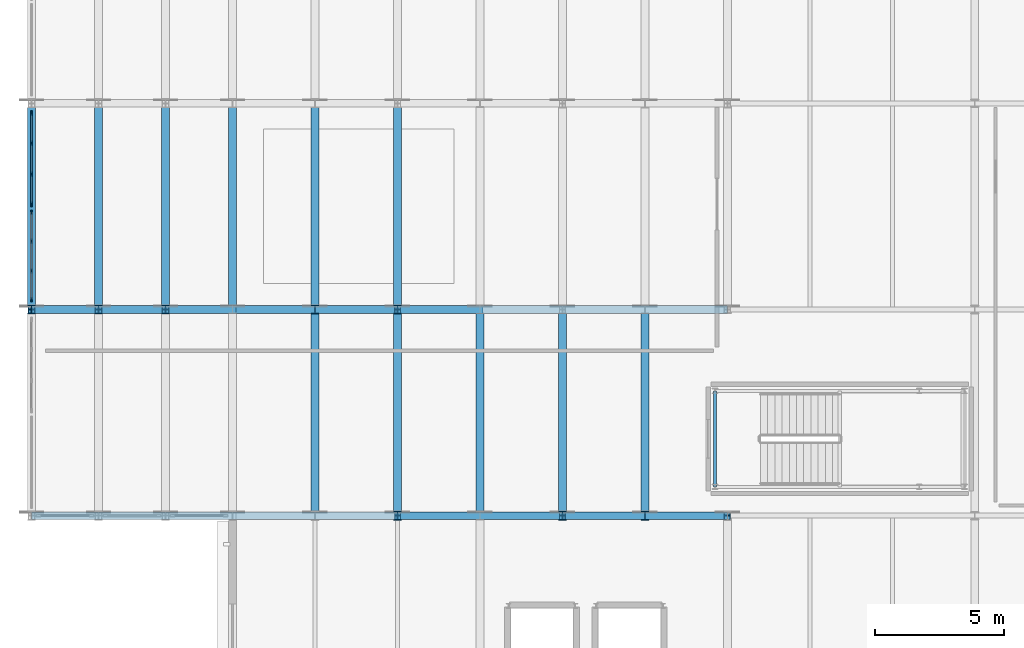
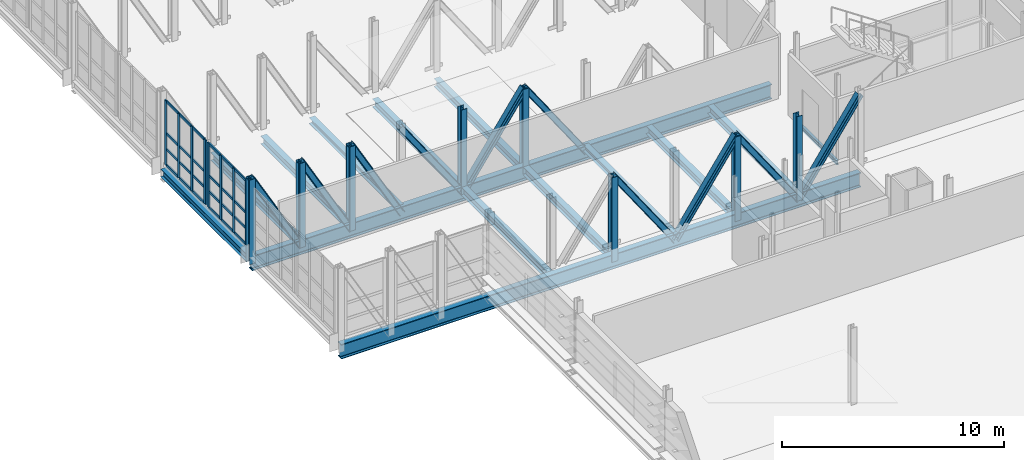
# One storey, part 20 of 73: 50 members, 14 beams, 2 elements without a shape of their own.
"""IFC4 building model written with IfcOpenShell, lengths in metres."""

from ifc_helpers import new_model, si_unit, direction, frame, origin, origin_2d, place, context, subcontext, project, spatial, rectangle, i_section, extrude, material, layer, layer_set, material_profile, profile_set, type_object, element, aggregate, save


model = new_model("IFC4")

# Units and contexts
model_context = context("Model", 3, precision=1e-05, world=origin(), true_north=direction((0.0, 1.0)))
body_context = subcontext(model_context, "Body", "Model", "MODEL_VIEW")
ifc_project = project(units=[si_unit("LENGTHUNIT", "METRE"), si_unit("AREAUNIT", "SQUARE_METRE"), si_unit("VOLUMEUNIT", "CUBIC_METRE"), si_unit("PLANEANGLEUNIT", "RADIAN"), si_unit("MASSUNIT", "GRAM", prefix="KILO")], contexts=[model_context])

# Site, building, storey
site_placement = place(None, origin())
site = spatial("IfcSite", under=ifc_project, at=site_placement, CompositionType="ELEMENT")
building_placement = place(site_placement, origin())
building = spatial("IfcBuilding", under=site, at=building_placement, Name="Alderhovde Museum", CompositionType="ELEMENT")
storey_placement = place(building_placement, frame((0.0, 0.0, 12.89990234375)))
storey = spatial("IfcBuildingStorey", under=building, at=storey_placement, Name="L03", CompositionType="ELEMENT", Elevation=12.89990234375)

# Beams
ifc_material_1 = material(Name="Steel S355J2", Category="steel")
ifc_material_profile_1 = material_profile(ifc_material_1, i_section(OverallWidth=0.300048828125, OverallDepth=0.330078125, WebThickness=0.009521484375, FlangeThickness=0.0166015625, FilletRadius=0.027099609375, at=origin_2d()), Name="HEA 340")
ifc_profile_set_1 = profile_set([ifc_material_profile_1], Name="Steel S355J2")
beam_type_1 = type_object("IfcBeamType", Name="BM-HEA340", PredefinedType="BEAM", material=ifc_profile_set_1)
for number, where, z_axis, x_axis, name in (
    (1, (9.60009765625, 88.0, -0.48486328125), (0.0, 1.0, 0.0), (-1.0, 0.0, 0.0), "L03 Grid Beam X=9.6 (88.0 TO 96.0)"),
    (2, (19.199951171875, 80.0, -0.48486328125), (0.0, 1.0, 0.0), (-1.0, 0.0, 0.0), "L03 Grid Beam X=19.2 (80.0 TO 88.0)"),
):
    element("IfcBeam", number, at=place(storey_placement, frame(where, z_axis=z_axis, x_axis=x_axis)), inside=storey, type_object=beam_type_1, Name=name, PredefinedType="BEAM", context=body_context, shape_type="SweptSolid", body=[
        extrude(i_section(OverallWidth=0.300048828125, OverallDepth=0.330078125, WebThickness=0.009521484375, FlangeThickness=0.0166015625, FilletRadius=0.027099609375, at=origin_2d()), origin(), (0.0, 0.0, 1.0), 8.0),
    ])
ifc_material_2 = material(Name="Steel S355J2", Category="steel")
ifc_material_profile_2 = material_profile(ifc_material_2, i_section(OverallWidth=0.300048828125, OverallDepth=0.43994140625, WebThickness=0.011474609375, FlangeThickness=0.02099609375, FilletRadius=0.027099609375, at=origin_2d()), Name="HEA 450")
ifc_profile_set_2 = profile_set([ifc_material_profile_2], Name="Steel S355J2")
beam_type_2 = type_object("IfcBeamType", Name="BM-HEA450", PredefinedType="BEAM", material=ifc_profile_set_2)
for number, where, z_axis, x_axis, name in (
    (3, (1.800048828125, 88.14990234375, -0.539794921875), (0.0, 1.0, 0.0), (-1.0, 0.0, 0.0), "L03 Transfer Transverse Beam X=1.8"),
    (4, (4.39990234375, 88.14990234375, -0.539794921875), (0.0, 1.0, 0.0), (-1.0, 0.0, 0.0), "L03 Transfer Transverse Beam X=4.4"),
    (5, (7.0, 88.14990234375, -0.539794921875), (0.0, 1.0, 0.0), (-1.0, 0.0, 0.0), "L03 Transfer Transverse Beam X=7.0"),
    (6, (12.800048828125, 80.14990234375, -0.539794921875), (0.0, 1.0, 0.0), (-1.0, 0.0, 0.0), "L03 Transfer Transverse Beam X=12.8"),
    (7, (12.800048828125, 88.14990234375, -0.539794921875), (0.0, 1.0, 0.0), (-1.0, 0.0, 0.0), "L03 Transfer Transverse Beam X=12.8"),
    (8, (16.0, 80.14990234375, -0.539794921875), (0.0, 1.0, 0.0), (-1.0, 0.0, 0.0), "L03 Transfer Transverse Beam X=16.0"),
    (9, (16.0, 88.14990234375, -0.539794921875), (0.0, 1.0, 0.0), (-1.0, 0.0, 0.0), "L03 Transfer Transverse Beam X=16.0"),
    (10, (22.39990234375, 80.14990234375, -0.539794921875), (0.0, 1.0, 0.0), (-1.0, 0.0, 0.0), "L03 Transfer Transverse Beam X=22.4"),
    (11, (25.60009765625, 80.14990234375, -0.539794921875), (0.0, 1.0, 0.0), (-1.0, 0.0, 0.0), "L03 Transfer Transverse Beam X=25.6"),
):
    element("IfcBeam", number, at=place(storey_placement, frame(where, z_axis=z_axis, x_axis=x_axis)), inside=storey, type_object=beam_type_2, Name=name, PredefinedType="BEAM", context=body_context, shape_type="SweptSolid", body=[
        extrude(i_section(OverallWidth=0.300048828125, OverallDepth=0.43994140625, WebThickness=0.011474609375, FlangeThickness=0.02099609375, FilletRadius=0.027099609375, at=origin_2d()), origin(), (0.0, 0.0, 1.0), 7.7001953125),
    ])
ifc_material_3 = material(Name="Steel S355J2", Category="steel")
ifc_material_profile_3 = material_profile(ifc_material_3, i_section(OverallWidth=0.300048828125, OverallDepth=0.800048828125, WebThickness=0.017578125, FlangeThickness=0.032958984375, FilletRadius=0.030029296875, at=origin_2d()), Name="HEB 800")
ifc_profile_set_3 = profile_set([ifc_material_profile_3], Name="Steel S355J2")
beam_type_3 = type_object("IfcBeamType", Name="BM-HEB800", PredefinedType="BEAM", material=ifc_profile_set_3)
for number, where, z_axis, x_axis, name in (
    (12, (1.800048828125, 80.0, -0.719970703125), (1.0, 0.0, 0.0), (0.0, 1.0, 0.0), "Transfer Truss Y=80 BOT Continuous Chord"),
    (13, (1.800048828125, 88.0, -0.719970703125), (1.0, 0.0, 0.0), (0.0, 1.0, 0.0), "Transfer Truss Y=88 BOT Continuous Chord"),
):
    element("IfcBeam", number, at=place(storey_placement, frame(where, z_axis=z_axis, x_axis=x_axis)), inside=storey, type_object=beam_type_3, Name=name, PredefinedType="BEAM", context=body_context, shape_type="SweptSolid", body=[
        extrude(i_section(OverallWidth=0.300048828125, OverallDepth=0.800048828125, WebThickness=0.017578125, FlangeThickness=0.032958984375, FilletRadius=0.030029296875, at=origin_2d()), origin(), (0.0, 0.0, 1.0), 27.0),
    ])
ifc_material_4 = material(Name="Steel S355J2", Category="steel")
ifc_material_profile_4 = material_profile(ifc_material_4, i_section(OverallWidth=0.1201171875, OverallDepth=0.239990234375, WebThickness=0.006103515625, FlangeThickness=0.009765625, FilletRadius=0.014892578125, at=origin_2d()), Name="IPE 240")
ifc_profile_set_4 = profile_set([ifc_material_profile_4], Name="Steel S355J2")
beam_type_4 = type_object("IfcBeamType", Name="BM-IPE240", PredefinedType="BEAM", material=ifc_profile_set_4)
beam_placement = place(storey_placement, frame((28.320068359375, 81.1201171875, -0.3798828125), z_axis=(0.0, 1.0, 0.0), x_axis=(-1.0, 0.0, 0.0)))
element("IfcBeam", 14, at=beam_placement, inside=storey, type_object=beam_type_4, Name="L03 Stair ST2 Floor Trimmer W", PredefinedType="BEAM", context=body_context, shape_type="SweptSolid", body=[
    extrude(i_section(OverallWidth=0.1201171875, OverallDepth=0.239990234375, WebThickness=0.006103515625, FlangeThickness=0.009765625, FilletRadius=0.014892578125, at=origin_2d()), origin(), (0.0, 0.0, 1.0), 3.719970703125),
])

# Curtain wall, members
ifc_material_5 = material(Name="Triple-Glazed Bronze-Anodised Curtain Wall", Category="glass")
ifc_layer_1 = layer(ifc_material_5, 0.179931640625)
ifc_layer_set_1 = layer_set([ifc_layer_1], Name="Triple-Glazed Bronze-Anodised Curtain Wall")
curtain_wall_type_1 = type_object("IfcCurtainWallType", Name="CW-UNIT-345x354", PredefinedType="USERDEFINED", material=ifc_layer_set_1)
curtain_wall_1_placement = place(storey_placement, origin())
curtain_wall_1 = element("IfcCurtainWall", 15, at=curtain_wall_1_placement, inside=storey, type_object=curtain_wall_type_1, Name="L03 Unitised Curtain Wall 93", ObjectType="UNITISED CURTAIN WALL", PredefinedType="USERDEFINED")
ifc_material_6 = material(Name="Bronze-Anodised Aluminium EN AW-6063-T6", Category="aluminium")
ifc_material_profile_5 = material_profile(ifc_material_6, rectangle(XDim=0.06494140625, YDim=0.179931640625, at=origin_2d()), Name="MULLION 65x180")
ifc_profile_set_5 = profile_set([ifc_material_profile_5], Name="Bronze-Anodised Aluminium EN AW-6063-T6")
member_type_1 = type_object("IfcMemberType", Name="CWM-65x180", PredefinedType="MULLION", material=ifc_profile_set_5)
member_1_placement = place(storey_placement, frame((1.800048828125, 88.382568359375, 0.0), z_axis=(0.0, 0.0, 1.0), x_axis=(-1.0, 0.0, 0.0)))
member_1 = element("IfcMember", 16, at=member_1_placement, type_object=member_type_1, Name="CW24 mullion 1", PredefinedType="MULLION", context=body_context, shape_type="SweptSolid", body=[
    extrude(rectangle(XDim=0.06494140625, YDim=0.179931640625, at=origin_2d()), origin(), (0.0, 0.0, 1.0), 3.5400390625),
])
member_2_placement = place(storey_placement, frame((1.800048828125, 89.5, 0.0), z_axis=(0.0, 0.0, 1.0), x_axis=(-1.0, 0.0, 0.0)))
member_2 = element("IfcMember", 17, at=member_2_placement, type_object=member_type_1, Name="CW24 mullion 2", PredefinedType="MULLION", context=body_context, shape_type="SweptSolid", body=[
    extrude(rectangle(XDim=0.06494140625, YDim=0.179931640625, at=origin_2d()), origin(), (0.0, 0.0, 1.0), 3.5400390625),
])
member_3_placement = place(storey_placement, frame((1.800048828125, 90.64990234375, 0.0), z_axis=(0.0, 0.0, 1.0), x_axis=(-1.0, 0.0, 0.0)))
member_3 = element("IfcMember", 18, at=member_3_placement, type_object=member_type_1, Name="CW24 mullion 3", PredefinedType="MULLION", context=body_context, shape_type="SweptSolid", body=[
    extrude(rectangle(XDim=0.06494140625, YDim=0.179931640625, at=origin_2d()), origin(), (0.0, 0.0, 1.0), 3.5400390625),
])
member_4_placement = place(storey_placement, frame((1.800048828125, 91.767578125, 0.0), z_axis=(0.0, 0.0, 1.0), x_axis=(-1.0, 0.0, 0.0)))
member_4 = element("IfcMember", 19, at=member_4_placement, type_object=member_type_1, Name="CW24 mullion 4", PredefinedType="MULLION", context=body_context, shape_type="SweptSolid", body=[
    extrude(rectangle(XDim=0.06494140625, YDim=0.179931640625, at=origin_2d()), origin(), (0.0, 0.0, 1.0), 3.5400390625),
])

ifc_material_7 = material(Name="Triple-Glazed Bronze-Anodised Curtain Wall", Category="glass")
ifc_layer_2 = layer(ifc_material_7, 0.179931640625)
ifc_layer_set_2 = layer_set([ifc_layer_2], Name="Triple-Glazed Bronze-Anodised Curtain Wall")
curtain_wall_type_2 = type_object("IfcCurtainWallType", Name="CW-UNIT-360x354", PredefinedType="USERDEFINED", material=ifc_layer_set_2)
curtain_wall_2_placement = place(storey_placement, origin())
curtain_wall_2 = element("IfcCurtainWall", 20, at=curtain_wall_2_placement, inside=storey, type_object=curtain_wall_type_2, Name="L03 Unitised Curtain Wall 94", ObjectType="UNITISED CURTAIN WALL", PredefinedType="USERDEFINED")
member_5_placement = place(storey_placement, frame((1.800048828125, 92.08251953125, 0.0), z_axis=(0.0, 0.0, 1.0), x_axis=(-1.0, 0.0, 0.0)))
member_5 = element("IfcMember", 21, at=member_5_placement, type_object=member_type_1, Name="CW20 mullion 1", PredefinedType="MULLION", context=body_context, shape_type="SweptSolid", body=[
    extrude(rectangle(XDim=0.06494140625, YDim=0.179931640625, at=origin_2d()), origin(), (0.0, 0.0, 1.0), 3.5400390625),
])
member_6_placement = place(storey_placement, frame((1.800048828125, 93.25, 0.0), z_axis=(0.0, 0.0, 1.0), x_axis=(-1.0, 0.0, 0.0)))
member_6 = element("IfcMember", 22, at=member_6_placement, type_object=member_type_1, Name="CW20 mullion 2", PredefinedType="MULLION", context=body_context, shape_type="SweptSolid", body=[
    extrude(rectangle(XDim=0.06494140625, YDim=0.179931640625, at=origin_2d()), origin(), (0.0, 0.0, 1.0), 3.5400390625),
])
member_7_placement = place(storey_placement, frame((1.800048828125, 94.449951171875, 0.0), z_axis=(0.0, 0.0, 1.0), x_axis=(-1.0, 0.0, 0.0)))
member_7 = element("IfcMember", 23, at=member_7_placement, type_object=member_type_1, Name="CW20 mullion 3", PredefinedType="MULLION", context=body_context, shape_type="SweptSolid", body=[
    extrude(rectangle(XDim=0.06494140625, YDim=0.179931640625, at=origin_2d()), origin(), (0.0, 0.0, 1.0), 3.5400390625),
])
member_8_placement = place(storey_placement, frame((1.800048828125, 95.617431640625, 0.0), z_axis=(0.0, 0.0, 1.0), x_axis=(-1.0, 0.0, 0.0)))
member_8 = element("IfcMember", 24, at=member_8_placement, type_object=member_type_1, Name="CW20 mullion 4", PredefinedType="MULLION", context=body_context, shape_type="SweptSolid", body=[
    extrude(rectangle(XDim=0.06494140625, YDim=0.179931640625, at=origin_2d()), origin(), (0.0, 0.0, 1.0), 3.5400390625),
])

# Member
ifc_material_8 = material(Name="Bronze-Anodised Aluminium EN AW-6063-T6", Category="aluminium")
ifc_material_profile_6 = material_profile(ifc_material_8, rectangle(XDim=0.06494140625, YDim=0.139892578125, at=origin_2d()), Name="TRANSOM 65x140")
ifc_profile_set_6 = profile_set([ifc_material_profile_6], Name="Bronze-Anodised Aluminium EN AW-6063-T6")
member_type_2 = type_object("IfcMemberType", Name="CWT-65x140", PredefinedType="USERDEFINED", material=ifc_profile_set_6)
member_9_placement = place(storey_placement, frame((1.800048828125, 88.4150390625, 0.03271484375), z_axis=(0.0, 1.0, 0.0), x_axis=(-1.0, 0.0, 0.0)))
member_9 = element("IfcMember", 25, at=member_9_placement, type_object=member_type_2, Name="CW24 transom 1.1", ObjectType="TRANSOM", PredefinedType="USERDEFINED", context=body_context, shape_type="SweptSolid", body=[
    extrude(rectangle(XDim=0.06494140625, YDim=0.139892578125, at=origin_2d()), origin(), (0.0, 0.0, 1.0), 1.052490234375),
])

member_10_placement = place(storey_placement, frame((1.800048828125, 88.4150390625, 0.900146484375), z_axis=(0.0, 1.0, 0.0), x_axis=(-1.0, 0.0, 0.0)))
member_10 = element("IfcMember", 26, at=member_10_placement, type_object=member_type_2, Name="CW24 transom 1.2", ObjectType="TRANSOM", PredefinedType="USERDEFINED", context=body_context, shape_type="SweptSolid", body=[
    extrude(rectangle(XDim=0.06494140625, YDim=0.139892578125, at=origin_2d()), origin(), (0.0, 0.0, 1.0), 1.052490234375),
])

member_11_placement = place(storey_placement, frame((1.800048828125, 88.4150390625, 1.77001953125), z_axis=(0.0, 1.0, 0.0), x_axis=(-1.0, 0.0, 0.0)))
member_11 = element("IfcMember", 27, at=member_11_placement, type_object=member_type_2, Name="CW24 transom 1.3", ObjectType="TRANSOM", PredefinedType="USERDEFINED", context=body_context, shape_type="SweptSolid", body=[
    extrude(rectangle(XDim=0.06494140625, YDim=0.139892578125, at=origin_2d()), origin(), (0.0, 0.0, 1.0), 1.052490234375),
])

member_12_placement = place(storey_placement, frame((1.800048828125, 88.4150390625, 3.507568359375), z_axis=(0.0, 1.0, 0.0), x_axis=(-1.0, 0.0, 0.0)))
member_12 = element("IfcMember", 28, at=member_12_placement, type_object=member_type_2, Name="CW24 transom 1.4", ObjectType="TRANSOM", PredefinedType="USERDEFINED", context=body_context, shape_type="SweptSolid", body=[
    extrude(rectangle(XDim=0.06494140625, YDim=0.139892578125, at=origin_2d()), origin(), (0.0, 0.0, 1.0), 1.052490234375),
])

member_13_placement = place(storey_placement, frame((1.800048828125, 89.532470703125, 0.03271484375), z_axis=(0.0, 1.0, 0.0), x_axis=(-1.0, 0.0, 0.0)))
member_13 = element("IfcMember", 29, at=member_13_placement, type_object=member_type_2, Name="CW24 transom 2.1", ObjectType="TRANSOM", PredefinedType="USERDEFINED", context=body_context, shape_type="SweptSolid", body=[
    extrude(rectangle(XDim=0.06494140625, YDim=0.139892578125, at=origin_2d()), origin(), (0.0, 0.0, 1.0), 1.0849609375),
])

member_14_placement = place(storey_placement, frame((1.800048828125, 89.532470703125, 0.900146484375), z_axis=(0.0, 1.0, 0.0), x_axis=(-1.0, 0.0, 0.0)))
member_14 = element("IfcMember", 30, at=member_14_placement, type_object=member_type_2, Name="CW24 transom 2.2", ObjectType="TRANSOM", PredefinedType="USERDEFINED", context=body_context, shape_type="SweptSolid", body=[
    extrude(rectangle(XDim=0.06494140625, YDim=0.139892578125, at=origin_2d()), origin(), (0.0, 0.0, 1.0), 1.0849609375),
])

member_15_placement = place(storey_placement, frame((1.800048828125, 89.532470703125, 1.77001953125), z_axis=(0.0, 1.0, 0.0), x_axis=(-1.0, 0.0, 0.0)))
member_15 = element("IfcMember", 31, at=member_15_placement, type_object=member_type_2, Name="CW24 transom 2.3", ObjectType="TRANSOM", PredefinedType="USERDEFINED", context=body_context, shape_type="SweptSolid", body=[
    extrude(rectangle(XDim=0.06494140625, YDim=0.139892578125, at=origin_2d()), origin(), (0.0, 0.0, 1.0), 1.0849609375),
])

member_16_placement = place(storey_placement, frame((1.800048828125, 89.532470703125, 3.507568359375), z_axis=(0.0, 1.0, 0.0), x_axis=(-1.0, 0.0, 0.0)))
member_16 = element("IfcMember", 32, at=member_16_placement, type_object=member_type_2, Name="CW24 transom 2.4", ObjectType="TRANSOM", PredefinedType="USERDEFINED", context=body_context, shape_type="SweptSolid", body=[
    extrude(rectangle(XDim=0.06494140625, YDim=0.139892578125, at=origin_2d()), origin(), (0.0, 0.0, 1.0), 1.0849609375),
])

member_17_placement = place(storey_placement, frame((1.800048828125, 90.6826171875, 0.03271484375), z_axis=(0.0, 1.0, 0.0), x_axis=(-1.0, 0.0, 0.0)))
member_17 = element("IfcMember", 33, at=member_17_placement, type_object=member_type_2, Name="CW24 transom 3.1", ObjectType="TRANSOM", PredefinedType="USERDEFINED", context=body_context, shape_type="SweptSolid", body=[
    extrude(rectangle(XDim=0.06494140625, YDim=0.139892578125, at=origin_2d()), origin(), (0.0, 0.0, 1.0), 1.052490234375),
])

member_18_placement = place(storey_placement, frame((1.800048828125, 90.6826171875, 0.900146484375), z_axis=(0.0, 1.0, 0.0), x_axis=(-1.0, 0.0, 0.0)))
member_18 = element("IfcMember", 34, at=member_18_placement, type_object=member_type_2, Name="CW24 transom 3.2", ObjectType="TRANSOM", PredefinedType="USERDEFINED", context=body_context, shape_type="SweptSolid", body=[
    extrude(rectangle(XDim=0.06494140625, YDim=0.139892578125, at=origin_2d()), origin(), (0.0, 0.0, 1.0), 1.052490234375),
])

member_19_placement = place(storey_placement, frame((1.800048828125, 90.6826171875, 1.77001953125), z_axis=(0.0, 1.0, 0.0), x_axis=(-1.0, 0.0, 0.0)))
member_19 = element("IfcMember", 35, at=member_19_placement, type_object=member_type_2, Name="CW24 transom 3.3", ObjectType="TRANSOM", PredefinedType="USERDEFINED", context=body_context, shape_type="SweptSolid", body=[
    extrude(rectangle(XDim=0.06494140625, YDim=0.139892578125, at=origin_2d()), origin(), (0.0, 0.0, 1.0), 1.052490234375),
])

member_20_placement = place(storey_placement, frame((1.800048828125, 90.6826171875, 3.507568359375), z_axis=(0.0, 1.0, 0.0), x_axis=(-1.0, 0.0, 0.0)))
member_20 = element("IfcMember", 36, at=member_20_placement, type_object=member_type_2, Name="CW24 transom 3.4", ObjectType="TRANSOM", PredefinedType="USERDEFINED", context=body_context, shape_type="SweptSolid", body=[
    extrude(rectangle(XDim=0.06494140625, YDim=0.139892578125, at=origin_2d()), origin(), (0.0, 0.0, 1.0), 1.052490234375),
])

aggregate(curtain_wall_1, [member_1, member_2, member_3, member_4, member_9, member_10, member_11, member_12, member_13, member_14, member_15, member_16, member_17, member_18, member_19, member_20])

member_21_placement = place(storey_placement, frame((1.800048828125, 92.114990234375, 0.03271484375), z_axis=(0.0, 1.0, 0.0), x_axis=(-1.0, 0.0, 0.0)))
member_21 = element("IfcMember", 37, at=member_21_placement, type_object=member_type_2, Name="CW20 transom 1.1", ObjectType="TRANSOM", PredefinedType="USERDEFINED", context=body_context, shape_type="SweptSolid", body=[
    extrude(rectangle(XDim=0.06494140625, YDim=0.139892578125, at=origin_2d()), origin(), (0.0, 0.0, 1.0), 1.1025390625),
])

member_22_placement = place(storey_placement, frame((1.800048828125, 92.114990234375, 0.900146484375), z_axis=(0.0, 1.0, 0.0), x_axis=(-1.0, 0.0, 0.0)))
member_22 = element("IfcMember", 38, at=member_22_placement, type_object=member_type_2, Name="CW20 transom 1.2", ObjectType="TRANSOM", PredefinedType="USERDEFINED", context=body_context, shape_type="SweptSolid", body=[
    extrude(rectangle(XDim=0.06494140625, YDim=0.139892578125, at=origin_2d()), origin(), (0.0, 0.0, 1.0), 1.1025390625),
])

member_23_placement = place(storey_placement, frame((1.800048828125, 92.114990234375, 1.77001953125), z_axis=(0.0, 1.0, 0.0), x_axis=(-1.0, 0.0, 0.0)))
member_23 = element("IfcMember", 39, at=member_23_placement, type_object=member_type_2, Name="CW20 transom 1.3", ObjectType="TRANSOM", PredefinedType="USERDEFINED", context=body_context, shape_type="SweptSolid", body=[
    extrude(rectangle(XDim=0.06494140625, YDim=0.139892578125, at=origin_2d()), origin(), (0.0, 0.0, 1.0), 1.1025390625),
])

member_24_placement = place(storey_placement, frame((1.800048828125, 92.114990234375, 3.507568359375), z_axis=(0.0, 1.0, 0.0), x_axis=(-1.0, 0.0, 0.0)))
member_24 = element("IfcMember", 40, at=member_24_placement, type_object=member_type_2, Name="CW20 transom 1.4", ObjectType="TRANSOM", PredefinedType="USERDEFINED", context=body_context, shape_type="SweptSolid", body=[
    extrude(rectangle(XDim=0.06494140625, YDim=0.139892578125, at=origin_2d()), origin(), (0.0, 0.0, 1.0), 1.1025390625),
])

member_25_placement = place(storey_placement, frame((1.800048828125, 93.282470703125, 0.03271484375), z_axis=(0.0, 1.0, 0.0), x_axis=(-1.0, 0.0, 0.0)))
member_25 = element("IfcMember", 41, at=member_25_placement, type_object=member_type_2, Name="CW20 transom 2.1", ObjectType="TRANSOM", PredefinedType="USERDEFINED", context=body_context, shape_type="SweptSolid", body=[
    extrude(rectangle(XDim=0.06494140625, YDim=0.139892578125, at=origin_2d()), origin(), (0.0, 0.0, 1.0), 1.135009765625),
])

member_26_placement = place(storey_placement, frame((1.800048828125, 93.282470703125, 0.900146484375), z_axis=(0.0, 1.0, 0.0), x_axis=(-1.0, 0.0, 0.0)))
member_26 = element("IfcMember", 42, at=member_26_placement, type_object=member_type_2, Name="CW20 transom 2.2", ObjectType="TRANSOM", PredefinedType="USERDEFINED", context=body_context, shape_type="SweptSolid", body=[
    extrude(rectangle(XDim=0.06494140625, YDim=0.139892578125, at=origin_2d()), origin(), (0.0, 0.0, 1.0), 1.135009765625),
])

member_27_placement = place(storey_placement, frame((1.800048828125, 93.282470703125, 1.77001953125), z_axis=(0.0, 1.0, 0.0), x_axis=(-1.0, 0.0, 0.0)))
member_27 = element("IfcMember", 43, at=member_27_placement, type_object=member_type_2, Name="CW20 transom 2.3", ObjectType="TRANSOM", PredefinedType="USERDEFINED", context=body_context, shape_type="SweptSolid", body=[
    extrude(rectangle(XDim=0.06494140625, YDim=0.139892578125, at=origin_2d()), origin(), (0.0, 0.0, 1.0), 1.135009765625),
])

member_28_placement = place(storey_placement, frame((1.800048828125, 93.282470703125, 3.507568359375), z_axis=(0.0, 1.0, 0.0), x_axis=(-1.0, 0.0, 0.0)))
member_28 = element("IfcMember", 44, at=member_28_placement, type_object=member_type_2, Name="CW20 transom 2.4", ObjectType="TRANSOM", PredefinedType="USERDEFINED", context=body_context, shape_type="SweptSolid", body=[
    extrude(rectangle(XDim=0.06494140625, YDim=0.139892578125, at=origin_2d()), origin(), (0.0, 0.0, 1.0), 1.135009765625),
])

member_29_placement = place(storey_placement, frame((1.800048828125, 94.482421875, 0.03271484375), z_axis=(0.0, 1.0, 0.0), x_axis=(-1.0, 0.0, 0.0)))
member_29 = element("IfcMember", 45, at=member_29_placement, type_object=member_type_2, Name="CW20 transom 3.1", ObjectType="TRANSOM", PredefinedType="USERDEFINED", context=body_context, shape_type="SweptSolid", body=[
    extrude(rectangle(XDim=0.06494140625, YDim=0.139892578125, at=origin_2d()), origin(), (0.0, 0.0, 1.0), 1.1025390625),
])

member_30_placement = place(storey_placement, frame((1.800048828125, 94.482421875, 0.900146484375), z_axis=(0.0, 1.0, 0.0), x_axis=(-1.0, 0.0, 0.0)))
member_30 = element("IfcMember", 46, at=member_30_placement, type_object=member_type_2, Name="CW20 transom 3.2", ObjectType="TRANSOM", PredefinedType="USERDEFINED", context=body_context, shape_type="SweptSolid", body=[
    extrude(rectangle(XDim=0.06494140625, YDim=0.139892578125, at=origin_2d()), origin(), (0.0, 0.0, 1.0), 1.1025390625),
])

member_31_placement = place(storey_placement, frame((1.800048828125, 94.482421875, 1.77001953125), z_axis=(0.0, 1.0, 0.0), x_axis=(-1.0, 0.0, 0.0)))
member_31 = element("IfcMember", 47, at=member_31_placement, type_object=member_type_2, Name="CW20 transom 3.3", ObjectType="TRANSOM", PredefinedType="USERDEFINED", context=body_context, shape_type="SweptSolid", body=[
    extrude(rectangle(XDim=0.06494140625, YDim=0.139892578125, at=origin_2d()), origin(), (0.0, 0.0, 1.0), 1.1025390625),
])

member_32_placement = place(storey_placement, frame((1.800048828125, 94.482421875, 3.507568359375), z_axis=(0.0, 1.0, 0.0), x_axis=(-1.0, 0.0, 0.0)))
member_32 = element("IfcMember", 48, at=member_32_placement, type_object=member_type_2, Name="CW20 transom 3.4", ObjectType="TRANSOM", PredefinedType="USERDEFINED", context=body_context, shape_type="SweptSolid", body=[
    extrude(rectangle(XDim=0.06494140625, YDim=0.139892578125, at=origin_2d()), origin(), (0.0, 0.0, 1.0), 1.1025390625),
])

aggregate(curtain_wall_2, [member_5, member_6, member_7, member_8, member_21, member_22, member_23, member_24, member_25, member_26, member_27, member_28, member_29, member_30, member_31, member_32])

# Members
ifc_material_9 = material(Name="Steel S355J2", Category="steel")
ifc_material_profile_7 = material_profile(ifc_material_9, i_section(OverallWidth=0.300048828125, OverallDepth=0.300048828125, WebThickness=0.010986328125, FlangeThickness=0.01904296875, FilletRadius=0.027099609375, at=origin_2d()), Name="HEB 300")
ifc_profile_set_7 = profile_set([ifc_material_profile_7], Name="Steel S355J2")
member_type_3 = type_object("IfcMemberType", Name="TR-DG-HEB300", PredefinedType="STRUT", material=ifc_profile_set_7)
for number, where, z_axis, x_axis, name in (
    (49, (16.0, 80.0, 3.920166015625), (0.567715748774, 0.0, -0.823224652567), (0.0, 1.0, 0.0), "Transfer Truss Y=80 T1 Diagonal 6"),
    (50, (19.199951171875, 80.0, -0.719970703125), (0.567715748774, 0.0, 0.823224652567), (0.0, 1.0, 0.0), "Transfer Truss Y=80 T1 Diagonal 7"),
):
    element("IfcMember", number, at=place(storey_placement, frame(where, z_axis=z_axis, x_axis=x_axis)), inside=storey, type_object=member_type_3, Name=name, PredefinedType="STRUT", context=body_context, shape_type="SweptSolid", body=[
        extrude(i_section(OverallWidth=0.300048828125, OverallDepth=0.300048828125, WebThickness=0.010986328125, FlangeThickness=0.01904296875, FilletRadius=0.027099609375, at=origin_2d()), origin(), (0.0, 0.0, 1.0), 5.636474609375),
    ])
member_33_placement = place(storey_placement, frame((22.39990234375, 80.0, 3.920166015625), z_axis=(0.567745101494, 0.0, -0.823204409445), x_axis=(0.0, 1.0, 0.0)))
element("IfcMember", 51, at=member_33_placement, inside=storey, type_object=member_type_3, Name="Transfer Truss Y=80 T1 Diagonal 8", PredefinedType="STRUT", context=body_context, shape_type="SweptSolid", body=[
    extrude(i_section(OverallWidth=0.300048828125, OverallDepth=0.300048828125, WebThickness=0.010986328125, FlangeThickness=0.01904296875, FilletRadius=0.027099609375, at=origin_2d()), origin(), (0.0, 0.0, 1.0), 5.63671875),
])
member_34_placement = place(storey_placement, frame((25.60009765625, 80.0, -0.719970703125), z_axis=(0.567715748774, 0.0, 0.823224652567), x_axis=(0.0, 1.0, 0.0)))
element("IfcMember", 52, at=member_34_placement, inside=storey, type_object=member_type_3, Name="Transfer Truss Y=80 T1 Diagonal 9", PredefinedType="STRUT", context=body_context, shape_type="SweptSolid", body=[
    extrude(i_section(OverallWidth=0.300048828125, OverallDepth=0.300048828125, WebThickness=0.010986328125, FlangeThickness=0.01904296875, FilletRadius=0.027099609375, at=origin_2d()), origin(), (0.0, 0.0, 1.0), 5.636474609375),
])
for number, where, z_axis, x_axis, name in (
    (53, (1.800048828125, 88.0, 3.920166015625), (0.488800434728, 0.0, -0.872395629866), (0.0, 1.0, 0.0), "Transfer Truss Y=88 T1 Diagonal 1"),
    (54, (4.39990234375, 88.0, 3.920166015625), (0.488835367665, 0.0, -0.872376056136), (0.0, 1.0, 0.0), "Transfer Truss Y=88 T1 Diagonal 2"),
    (55, (7.0, 88.0, 3.920166015625), (0.488835367665, 0.0, -0.872376056136), (0.0, 1.0, 0.0), "Transfer Truss Y=88 T1 Diagonal 3"),
):
    element("IfcMember", number, at=place(storey_placement, frame(where, z_axis=z_axis, x_axis=x_axis)), inside=storey, type_object=member_type_3, Name=name, PredefinedType="STRUT", context=body_context, shape_type="SweptSolid", body=[
        extrude(i_section(OverallWidth=0.300048828125, OverallDepth=0.300048828125, WebThickness=0.010986328125, FlangeThickness=0.01904296875, FilletRadius=0.027099609375, at=origin_2d()), origin(), (0.0, 0.0, 1.0), 5.31884765625),
    ])
for number, where, z_axis, x_axis, name in (
    (56, (9.60009765625, 88.0, 3.920166015625), (0.567715748774, 0.0, -0.823224652567), (0.0, 1.0, 0.0), "Transfer Truss Y=88 T1 Diagonal 4"),
    (57, (12.800048828125, 88.0, -0.719970703125), (0.567715748774, 0.0, 0.823224652567), (0.0, 1.0, 0.0), "Transfer Truss Y=88 T1 Diagonal 5"),
    (58, (16.0, 88.0, 3.920166015625), (0.567715748774, 0.0, -0.823224652567), (0.0, 1.0, 0.0), "Transfer Truss Y=88 T1 Diagonal 6"),
):
    element("IfcMember", number, at=place(storey_placement, frame(where, z_axis=z_axis, x_axis=x_axis)), inside=storey, type_object=member_type_3, Name=name, PredefinedType="STRUT", context=body_context, shape_type="SweptSolid", body=[
        extrude(i_section(OverallWidth=0.300048828125, OverallDepth=0.300048828125, WebThickness=0.010986328125, FlangeThickness=0.01904296875, FilletRadius=0.027099609375, at=origin_2d()), origin(), (0.0, 0.0, 1.0), 5.636474609375),
    ])
ifc_material_10 = material(Name="Steel S355J2", Category="steel")
ifc_material_profile_8 = material_profile(ifc_material_10, i_section(OverallWidth=0.300048828125, OverallDepth=0.340087890625, WebThickness=0.011962890625, FlangeThickness=0.021484375, FilletRadius=0.027099609375, at=origin_2d()), Name="HEB 340")
ifc_profile_set_8 = profile_set([ifc_material_profile_8], Name="Steel S355J2")
member_type_4 = type_object("IfcMemberType", Name="TR-PS-HEB340", PredefinedType="POST", material=ifc_profile_set_8)
for number, where, z_axis, x_axis, name in (
    (59, (16.0, 80.0, -0.719970703125), (0.0, 0.0, 1.0), (1.0, 0.0, 0.0), "Transfer Truss Y=80 T1 Post 6"),
    (60, (22.39990234375, 80.0, -0.719970703125), (0.0, 0.0, 1.0), (1.0, 0.0, 0.0), "Transfer Truss Y=80 T1 Post 8"),
    (61, (25.60009765625, 80.0, -0.719970703125), (0.0, 0.0, 1.0), (1.0, 0.0, 0.0), "Transfer Truss Y=80 T1 Post 9"),
    (62, (1.800048828125, 88.0, -0.719970703125), (0.0, 0.0, 1.0), (1.0, 0.0, 0.0), "Transfer Truss Y=88 T1 Post 1"),
    (63, (4.39990234375, 88.0, -0.719970703125), (0.0, 0.0, 1.0), (1.0, 0.0, 0.0), "Transfer Truss Y=88 T1 Post 2"),
    (64, (7.0, 88.0, -0.719970703125), (0.0, 0.0, 1.0), (1.0, 0.0, 0.0), "Transfer Truss Y=88 T1 Post 3"),
    (65, (12.800048828125, 88.0, -0.719970703125), (0.0, 0.0, 1.0), (1.0, 0.0, 0.0), "Transfer Truss Y=88 T1 Post 5"),
    (66, (16.0, 88.0, -0.719970703125), (0.0, 0.0, 1.0), (1.0, 0.0, 0.0), "Transfer Truss Y=88 T1 Post 6"),
):
    element("IfcMember", number, at=place(storey_placement, frame(where, z_axis=z_axis, x_axis=x_axis)), inside=storey, type_object=member_type_4, Name=name, PredefinedType="POST", context=body_context, shape_type="SweptSolid", body=[
        extrude(i_section(OverallWidth=0.300048828125, OverallDepth=0.340087890625, WebThickness=0.011962890625, FlangeThickness=0.021484375, FilletRadius=0.027099609375, at=origin_2d()), origin(), (0.0, 0.0, 1.0), 4.64013671875),
    ])

save(model, "model.ifc")
